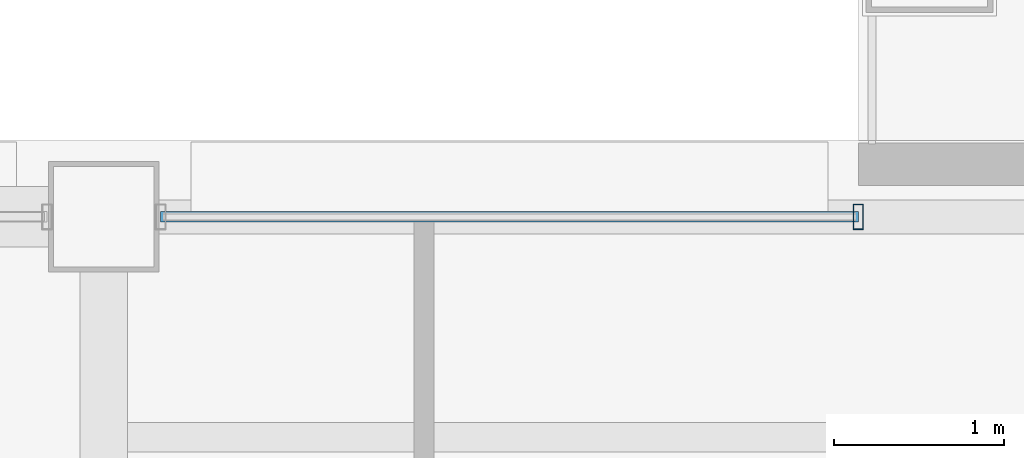
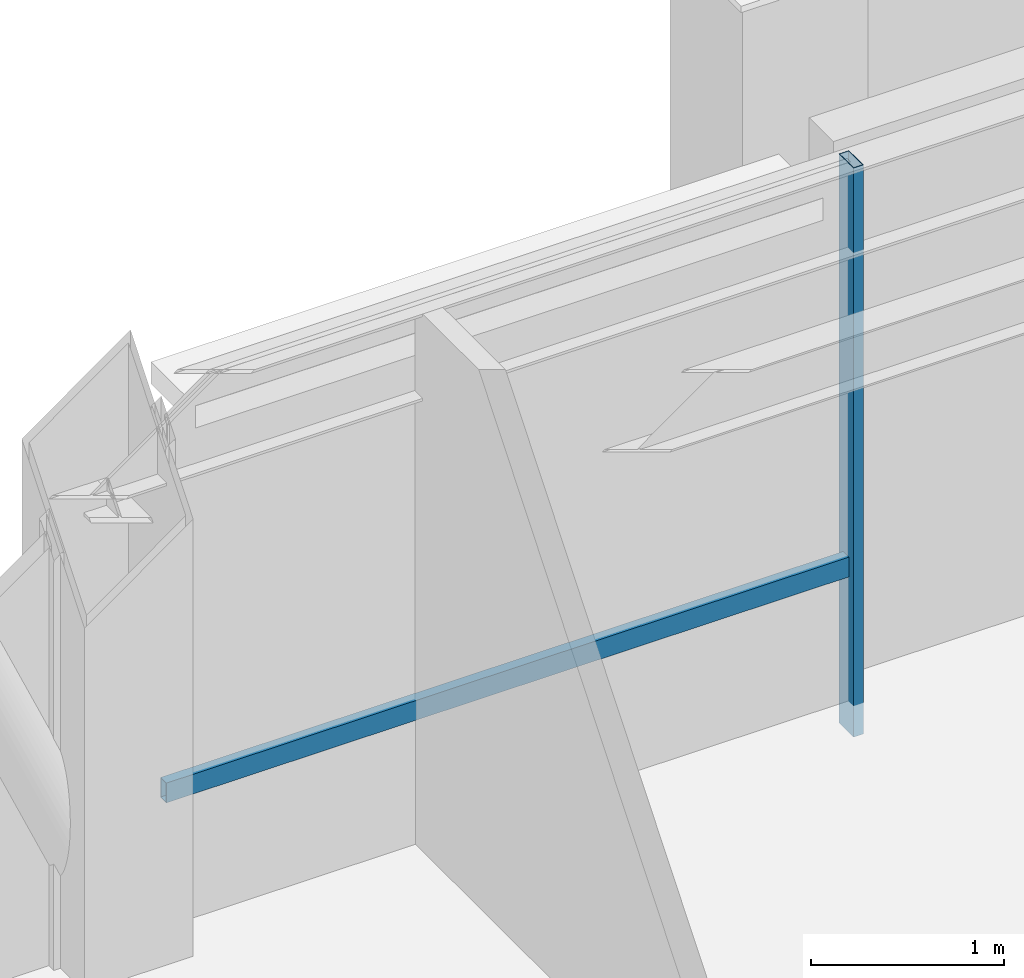
# One storey, part 18 of 28: 2 members, 1 element without a shape of its own.
"""IFC4 building model written with IfcOpenShell, lengths in metres."""

import ifcopenshell
import ifcopenshell.guid

model = None  # the IFC model being written
_history = None  # IfcOwnerHistory: only IFC2X3 demands one
_inside = {}  # id of a spatial element -> (the spatial element, [elements in it])
_under = {}  # id of a project, library or spatial element -> (it, [spatial elements below it])
_declared = {}  # id of a project -> (the project, [libraries it declares])
_typed = {}  # id of a type object -> (the type object, [elements of that type])
_made_of = {}  # id of a material, layer set ... -> (it, [elements and type objects made of it])


def new_model(schema):
    """Start an empty IFC model of exactly this schema.

    Asked for "IFC4X3", IfcOpenShell would pick the latest addendum, in which some entities
    have other attributes; the version numbers below select the first issue.
    IFC2X3 requires an IfcOwnerHistory on every rooted entity: one is made here for all.
    """
    global model, _history
    if schema == "IFC4X3":
        model = ifcopenshell.file(schema_version=(4, 3, 0, 0))
    else:
        model = ifcopenshell.file(schema=schema)
    _inside.clear()
    _under.clear()
    _declared.clear()
    _typed.clear()
    _made_of.clear()
    _history = None
    if model.schema == "IFC2X3":
        org = make("IfcOrganization", Name="unknown")
        user = make(
            "IfcPersonAndOrganization",
            ThePerson=make("IfcPerson", FamilyName="unknown"),
            TheOrganization=org,
        )
        app = make(
            "IfcApplication",
            ApplicationDeveloper=org,
            Version="unknown",
            ApplicationFullName="unknown",
            ApplicationIdentifier="unknown",
        )
        _history = make(
            "IfcOwnerHistory",
            OwningUser=user,
            OwningApplication=app,
            ChangeAction="ADDED",
            CreationDate=0,
        )
    return model


def make(cls, **values):
    """One entity of the class cls with the attributes given. An attribute that is None is left unset."""
    return model.create_entity(
        cls, **{name: value for name, value in values.items() if value is not None}
    )


def rooted(cls, **values):
    """An entity with a GlobalId (a new one), such as an element, a storey or a relation."""
    return make(cls, GlobalId=ifcopenshell.guid.new(), OwnerHistory=_history, **values)


def si_unit(unit_type, name, prefix=None):
    """IfcSIUnit, for example si_unit("LENGTHUNIT", "METRE", prefix="MILLI")."""
    return make("IfcSIUnit", UnitType=unit_type, Prefix=prefix, Name=name)


def assignment(units):
    """IfcUnitAssignment: the units of a project."""
    return None if units is None else make("IfcUnitAssignment", Units=units)


def point(xyz):
    """IfcCartesianPoint."""
    return None if xyz is None else make("IfcCartesianPoint", Coordinates=xyz)


def direction(xyz):
    """IfcDirection."""
    return None if xyz is None else make("IfcDirection", DirectionRatios=xyz)


def frame(location, z_axis=None, x_axis=None):
    """IfcAxis2Placement3D, a coordinate frame: its origin and axes. An axis left out is left unset."""
    return make(
        "IfcAxis2Placement3D",
        Location=point(location),
        Axis=direction(z_axis),
        RefDirection=direction(x_axis),
    )


def frame_2d(location, x_axis=None):
    """IfcAxis2Placement2D, a coordinate frame in the plane: its origin and x axis."""
    return make(
        "IfcAxis2Placement2D", Location=point(location), RefDirection=direction(x_axis)
    )


def origin():
    """The frame at (0, 0, 0) with its axes left unset."""
    return frame((0.0, 0.0, 0.0))


def origin_2d():
    """The frame at (0, 0) in the plane with its x axis left unset."""
    return frame_2d((0.0, 0.0))


def place(relative_to, where):
    """IfcLocalPlacement: puts the frame where relative to a parent placement (None: the world)."""
    return make(
        "IfcLocalPlacement", PlacementRelTo=relative_to, RelativePlacement=where
    )


def context(
    kind, dimensions, precision=None, world=None, true_north=None, identifier=None
):
    """IfcGeometricRepresentationContext, for example the 3D "Model" context."""
    return make(
        "IfcGeometricRepresentationContext",
        ContextIdentifier=identifier,
        ContextType=kind,
        CoordinateSpaceDimension=dimensions,
        Precision=precision,
        WorldCoordinateSystem=world,
        TrueNorth=true_north,
    )


def subcontext(parent, identifier, kind, view, scale=None):
    """IfcGeometricRepresentationSubContext, for example "Body" below "Model"."""
    return make(
        "IfcGeometricRepresentationSubContext",
        ContextIdentifier=identifier,
        ContextType=kind,
        ParentContext=parent,
        TargetScale=scale,
        TargetView=view,
    )


def project(units=None, contexts=None):
    """IfcProject with its units and contexts."""
    return rooted(
        "IfcProject",
        Name="project",
        RepresentationContexts=contexts,
        UnitsInContext=assignment(units),
    )


def spatial(cls, under=None, at=None, **own):
    """A site, building, storey or space (cls), placed at a placement, below another one or the project."""
    s = rooted(cls, ObjectPlacement=at, **own)
    if under is not None:
        _under.setdefault(under.id(), (under, []))[1].append(s)
    return s


def profile(cls, at=None, kind="AREA", **sizes):
    """A parametric profile (cls). Its sizes go by their IFC names, for example OverallWidth=200.0."""
    return make(cls, ProfileType=kind, Position=at, **sizes)


def hollow_rectangle(**sizes):
    """IfcRectangleHollowProfileDef."""
    return profile("IfcRectangleHollowProfileDef", **sizes)


def extrude(swept, where, along, depth):
    """IfcExtrudedAreaSolid: the profile swept, set in the frame where, extruded along a direction by depth."""
    return make(
        "IfcExtrudedAreaSolid",
        SweptArea=swept,
        Position=where,
        ExtrudedDirection=direction(along),
        Depth=depth,
    )


def shape(context_of_items, identifier, shape_type, items):
    """IfcShapeRepresentation: the items that make up one representation, for example the "Body"."""
    return make(
        "IfcShapeRepresentation",
        ContextOfItems=context_of_items,
        RepresentationIdentifier=identifier,
        RepresentationType=shape_type,
        Items=items,
    )


def material(Name=None, Category=None):
    """IfcMaterial."""
    return make("IfcMaterial", Name=Name, Category=Category)


def layer(
    of_material, thickness, ventilated=None, Name=None, Category=None, Priority=None
):
    """IfcMaterialLayer: one layer of a wall or slab, of a material (None: an air gap)."""
    return make(
        "IfcMaterialLayer",
        Material=of_material,
        LayerThickness=thickness,
        IsVentilated=ventilated,
        Name=Name,
        Category=Category,
        Priority=Priority,
    )


def layer_set(layers, Name=None):
    """IfcMaterialLayerSet."""
    return make("IfcMaterialLayerSet", MaterialLayers=layers, LayerSetName=Name)


def material_profile(
    of_material, cross_section, Name=None, Category=None, Priority=None
):
    """IfcMaterialProfile: a cross section and its material."""
    return make(
        "IfcMaterialProfile",
        Name=Name,
        Material=of_material,
        Profile=cross_section,
        Priority=Priority,
        Category=Category,
    )


def profile_set(profiles, Name=None, composite=None):
    """IfcMaterialProfileSet."""
    return make(
        "IfcMaterialProfileSet",
        Name=Name,
        MaterialProfiles=profiles,
        CompositeProfile=composite,
    )


def made_of(thing, what):
    """Note that an element or type object is made of a material, layer set ...; save() writes the relation."""
    if what is not None:
        _made_of.setdefault(what.id(), (what, []))[1].append(thing)
    return thing


def type_object(cls, material=None, **own):
    """A type object (cls), such as IfcWallType, which elements share."""
    return made_of(rooted(cls, **own), material)


def element(
    cls,
    number,
    at=None,
    inside=None,
    cuts=None,
    type_object=None,
    material=None,
    context=None,
    identifier="Body",
    shape_type=None,
    held_by="IfcProductDefinitionShape",
    body=None,
    shapes=None,
    **own,
):
    """One element of the class cls, such as IfcWall. Its Tag is "e" and its number.

    at: its placement. inside: the storey or other place that contains it. cuts: it is an
    opening in that element (IfcRelVoidsElement). A single representation is given by context,
    identifier, shape_type and body (its items); several are given by shapes. held_by: the class
    of the entity that holds the representations. save() writes the other relations.
    """
    e = rooted(cls, Tag="e%d" % number, ObjectPlacement=at, **own)
    if body is not None:
        shapes = [shape(context, identifier, shape_type, body)]
    if shapes is not None:
        e.Representation = make(held_by, Representations=shapes)
    if inside is not None:
        _inside.setdefault(inside.id(), (inside, []))[1].append(e)
    if cuts is not None:
        rooted(
            "IfcRelVoidsElement", RelatingBuildingElement=cuts, RelatedOpeningElement=e
        )
    if type_object is not None:
        _typed.setdefault(type_object.id(), (type_object, []))[1].append(e)
    return made_of(e, material)


def aggregate(whole, parts):
    """IfcRelAggregates: a whole, such as a stair, and the parts it consists of."""
    return rooted("IfcRelAggregates", RelatingObject=whole, RelatedObjects=parts)


def save(model, path):
    """Write the relations noted so far, then the file.

    IfcRelAggregates (storeys below a building ...), IfcRelContainedInSpatialStructure (elements
    in a storey), IfcRelDefinesByType, IfcRelAssociatesMaterial and IfcRelDeclares: one each for
    every whole, place, type object, material and project.
    """
    for whole, parts in _under.values():
        aggregate(whole, parts)
    for where, things in _inside.values():
        rooted(
            "IfcRelContainedInSpatialStructure",
            RelatedElements=things,
            RelatingStructure=where,
        )
    for kind, things in _typed.values():
        rooted("IfcRelDefinesByType", RelatedObjects=things, RelatingType=kind)
    for what, things in _made_of.values():
        rooted("IfcRelAssociatesMaterial", RelatedObjects=things, RelatingMaterial=what)
    for by, libraries in _declared.values():
        rooted("IfcRelDeclares", RelatingContext=by, RelatedDefinitions=libraries)
    model.write(path)


model = new_model("IFC4")

# Units and contexts
model_context = context("Model", 3, precision=1e-05, world=origin(), true_north=direction((0.0, 1.0)))
body_context = subcontext(model_context, "Body", "Model", "MODEL_VIEW")
ifc_project = project(units=[si_unit("LENGTHUNIT", "METRE"), si_unit("AREAUNIT", "SQUARE_METRE"), si_unit("VOLUMEUNIT", "CUBIC_METRE"), si_unit("PLANEANGLEUNIT", "RADIAN"), si_unit("MASSUNIT", "GRAM", prefix="KILO")], contexts=[model_context])

# Site, building, storey
site_placement = place(None, origin())
site = spatial("IfcSite", under=ifc_project, at=site_placement, CompositionType="ELEMENT")
building_placement = place(site_placement, origin())
building = spatial("IfcBuilding", under=site, at=building_placement, Name="Brelmoor Portico Tower", CompositionType="ELEMENT")
storey_placement = place(building_placement, frame((0.0, 0.0, 225.60009765625)))
storey = spatial("IfcBuildingStorey", under=building, at=storey_placement, Name="L59", CompositionType="ELEMENT", Elevation=225.60009765625)

# Curtain wall, members
ifc_material = material(Name="Anodised Aluminium Alloy 6063-T6", Category="aluminium")
ifc_layer = layer(ifc_material, 0.179931640625)
ifc_layer_set = layer_set([ifc_layer], Name="Anodised Aluminium Alloy 6063-T6")
curtain_wall_type = type_object("IfcCurtainWallType", Name="CW-TOWER-Z4", PredefinedType="NOTDEFINED", material=ifc_layer_set)
curtain_wall_placement = place(storey_placement, origin())
curtain_wall = element("IfcCurtainWall", 1, at=curtain_wall_placement, inside=storey, type_object=curtain_wall_type, Name="L59 Curtain Wall CW-L59-2L-2", PredefinedType="NOTDEFINED")
ifc_material_profile_1 = material_profile(ifc_material, hollow_rectangle(XDim=0.06005859375, YDim=0.14990234375, WallThickness=0.00390625, at=origin_2d()), Name="ALU MULLION 60x150")
ifc_profile_set_1 = profile_set([ifc_material_profile_1], Name="Anodised Aluminium Alloy 6063-T6")
member_type_1 = type_object("IfcMemberType", Name="MB-CW-MULL-150", PredefinedType="MULLION", material=ifc_profile_set_1)
member_1_placement = place(storey_placement, frame((-3.60009765625, 17.550048828125, -0.2001953125), z_axis=(0.0, 0.0, 1.0), x_axis=(1.0, 0.0, 0.0)))
member_1 = element("IfcMember", 2, at=member_1_placement, type_object=member_type_1, Name="CW-L59-2L-2 Mullion 01", PredefinedType="MULLION", context=body_context, shape_type="SweptSolid", body=[
    extrude(hollow_rectangle(XDim=0.06005859375, YDim=0.14990234375, WallThickness=0.00390625, at=origin_2d()), origin(), (0.0, 0.0, 1.0), 3.60009765625),
])
ifc_material_profile_2 = material_profile(ifc_material, hollow_rectangle(XDim=0.06005859375, YDim=0.125, WallThickness=0.00341796875, at=origin_2d()), Name="ALU TRANSOM 60x125")
ifc_profile_set_2 = profile_set([ifc_material_profile_2], Name="Anodised Aluminium Alloy 6063-T6")
member_type_2 = type_object("IfcMemberType", Name="MB-CW-TRAN-125", PredefinedType="USERDEFINED", material=ifc_profile_set_2)
member_2_placement = place(storey_placement, frame((-7.715087890625, 17.550048828125, 0.849853515625), z_axis=(1.0, 0.0, 0.0), x_axis=(0.0, 1.0, 0.0)))
member_2 = element("IfcMember", 3, at=member_2_placement, type_object=member_type_2, Name="CW-L59-2L-2 Transom 1-00", ObjectType="TRANSOM", PredefinedType="USERDEFINED", context=body_context, shape_type="SweptSolid", body=[
    extrude(hollow_rectangle(XDim=0.06005859375, YDim=0.125, WallThickness=0.00341796875, at=origin_2d()), origin(), (0.0, 0.0, 1.0), 4.114990234375),
])
aggregate(curtain_wall, [member_1, member_2])

save(model, "model.ifc")
